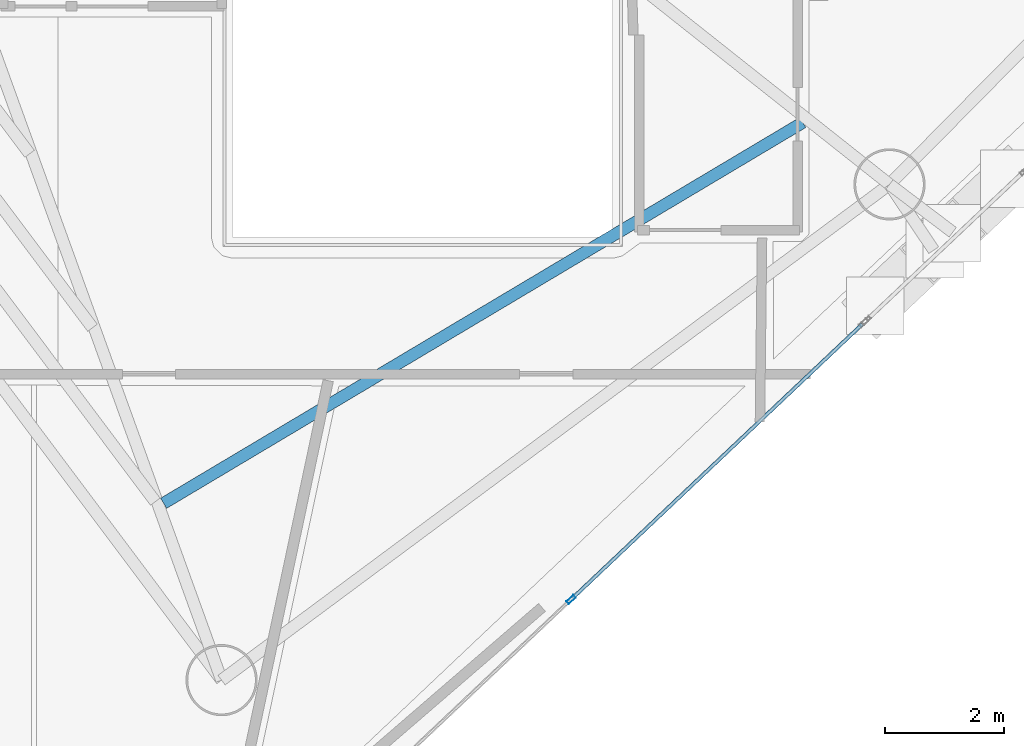
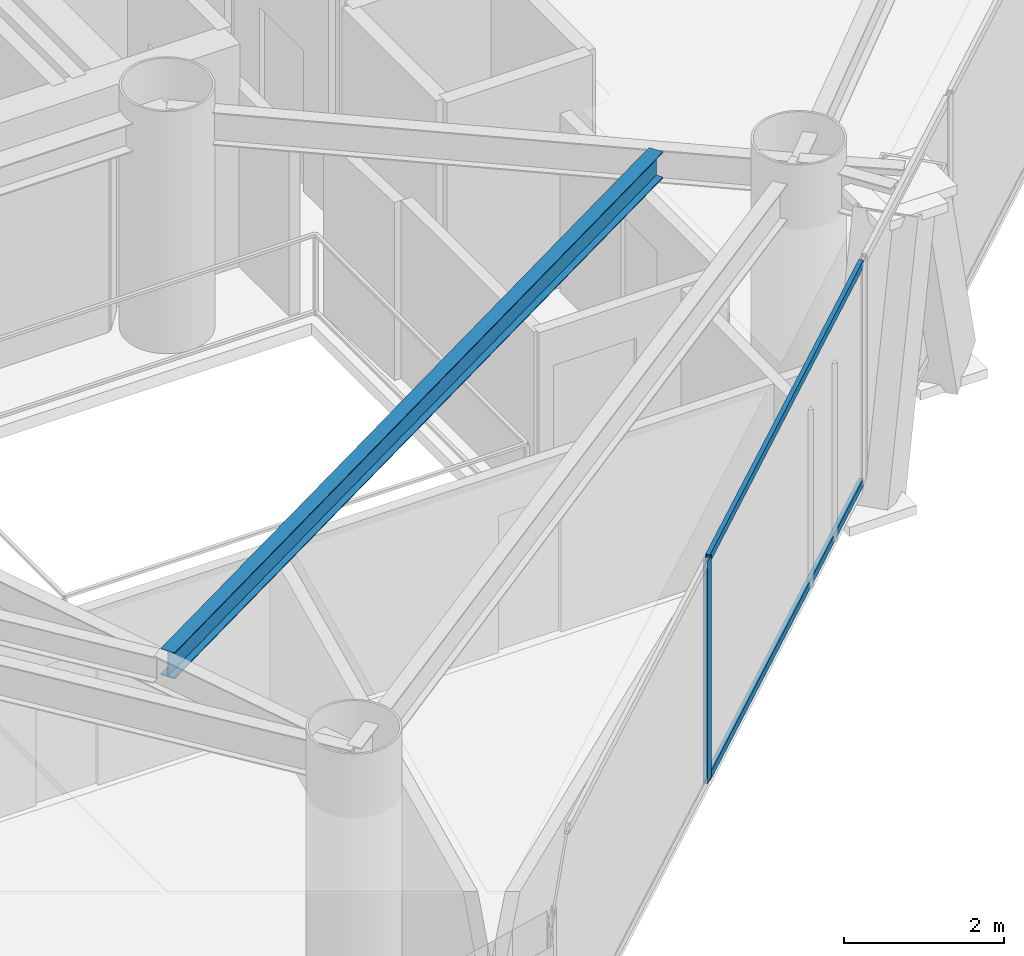
# One storey, part 4 of 20: 3 members, 1 beam, 1 element without a shape of its own.
"""IFC4 building model written with IfcOpenShell, lengths in metres."""

from ifc_helpers import new_model, si_unit, direction, frame, origin, origin_2d, place, context, subcontext, project, spatial, hollow_rectangle, i_section, extrude, material, layer, layer_set, material_profile, profile_set, type_object, element, aggregate, save


model = new_model("IFC4")

# Units and contexts
model_context = context("Model", 3, precision=1e-05, world=origin(), true_north=direction((0.0, 1.0)))
body_context = subcontext(model_context, "Body", "Model", "MODEL_VIEW")
ifc_project = project(units=[si_unit("LENGTHUNIT", "METRE"), si_unit("AREAUNIT", "SQUARE_METRE"), si_unit("VOLUMEUNIT", "CUBIC_METRE"), si_unit("PLANEANGLEUNIT", "RADIAN"), si_unit("MASSUNIT", "GRAM", prefix="KILO")], contexts=[model_context])

# Site, building, storey
site_placement = place(None, origin())
site = spatial("IfcSite", under=ifc_project, at=site_placement, CompositionType="ELEMENT")
building_placement = place(site_placement, origin())
building = spatial("IfcBuilding", under=site, at=building_placement, Name="Qianvela Tower", CompositionType="ELEMENT")
storey_placement = place(building_placement, frame((0.0, 0.0, 226.199951171875)))
storey = spatial("IfcBuildingStorey", under=building, at=storey_placement, Name="L58", CompositionType="ELEMENT", Elevation=226.199951171875)

# Beam
ifc_material_1 = material(Name="Steel Q355B", Category="steel")
ifc_material_profile_1 = material_profile(ifc_material_1, i_section(OverallWidth=0.199951171875, OverallDepth=0.39990234375, WebThickness=0.008056640625, FlangeThickness=0.012939453125, at=origin_2d()), Name="HN400x200x8x13")
ifc_profile_set_1 = profile_set([ifc_material_profile_1], Name="Steel Q355B")
beam_type = type_object("IfcBeamType", Name="BM-HN400-JOIST", PredefinedType="JOIST", material=ifc_profile_set_1)
beam_placement = place(storey_placement, frame((32.4365234375, 13.51025390625, 3.197998046875), z_axis=(0.859083505932, 0.511835451914, 0.0), x_axis=(-0.511835451914, 0.859083505932, 0.0)))
element("IfcBeam", 1, at=beam_placement, inside=storey, type_object=beam_type, Name="L58 Secondary Composite Floor Joist 5.3", PredefinedType="JOIST", context=body_context, shape_type="SweptSolid", body=[
    extrude(i_section(OverallWidth=0.199951171875, OverallDepth=0.39990234375, WebThickness=0.008056640625, FlangeThickness=0.012939453125, at=origin_2d()), origin(), (0.0, 0.0, 1.0), 12.535888671875),
])

# Curtain wall, members
ifc_material_2 = material(Name="Anodised Architectural Aluminium and Low-E Glass", Category="aluminium")
ifc_layer = layer(ifc_material_2, 0.159912109375)
ifc_layer_set = layer_set([ifc_layer], Name="Anodised Architectural Aluminium and Low-E Glass")
curtain_wall_type = type_object("IfcCurtainWallType", Name="CW-COLIV-Z56", PredefinedType="USERDEFINED", material=ifc_layer_set)
curtain_wall_placement = place(storey_placement, origin())
curtain_wall = element("IfcCurtainWall", 2, at=curtain_wall_placement, inside=storey, type_object=curtain_wall_type, Name="L58 CW-COLIV-Z56 Curtain Wall 06A", ObjectType="CURTAIN_WALL_SYSTEM", PredefinedType="USERDEFINED")
ifc_material_3 = material(Name="Anodised Architectural Aluminium 6063-T6", Category="aluminium")
ifc_material_profile_2 = material_profile(ifc_material_3, hollow_rectangle(XDim=0.06494140625, YDim=0.159912109375, WallThickness=0.0048828125, at=origin_2d()), Name="ALU-MULL-65x160")
ifc_profile_set_2 = profile_set([ifc_material_profile_2], Name="Anodised Architectural Aluminium 6063-T6")
member_type_1 = type_object("IfcMemberType", Name="CW-COLIV-Z56-MULL", PredefinedType="MULLION", material=ifc_profile_set_2)
member_1_placement = place(storey_placement, frame((39.3017578125, 11.888427734375, 0.0), z_axis=(0.0, 0.0, 1.0), x_axis=(-0.686997436207, 0.726659839708, 0.0)))
member_1 = element("IfcMember", 3, at=member_1_placement, type_object=member_type_1, Name="CW-5 mullion 2", PredefinedType="MULLION", context=body_context, shape_type="SweptSolid", body=[
    extrude(hollow_rectangle(XDim=0.06494140625, YDim=0.159912109375, WallThickness=0.0048828125, at=origin_2d()), origin(), (0.0, 0.0, 1.0), 3.400146484375),
])
ifc_material_4 = material(Name="Anodised Architectural Aluminium 6063-T6", Category="aluminium")
ifc_material_profile_3 = material_profile(ifc_material_4, hollow_rectangle(XDim=0.06005859375, YDim=0.114990234375, WallThickness=0.00390625, at=origin_2d()), Name="ALU-TRAN-60x115")
ifc_profile_set_3 = profile_set([ifc_material_profile_3], Name="Anodised Architectural Aluminium 6063-T6")
member_type_2 = type_object("IfcMemberType", Name="CW-COLIV-Z56-TRAN", PredefinedType="USERDEFINED", material=ifc_profile_set_3)
member_2_placement = place(storey_placement, frame((39.325439453125, 11.91064453125, 0.030029296875), z_axis=(0.726654241603, 0.687003357459, 0.0), x_axis=(-0.687003357459, 0.726654241603, 0.0)))
member_2 = element("IfcMember", 4, at=member_2_placement, type_object=member_type_2, Name="CW-5 transom 2.1", ObjectType="TRANSOM", PredefinedType="USERDEFINED", context=body_context, shape_type="SweptSolid", body=[
    extrude(hollow_rectangle(XDim=0.06005859375, YDim=0.114990234375, WallThickness=0.00390625, at=origin_2d()), origin(), (0.0, 0.0, 1.0), 6.717529296875),
])
member_3_placement = place(storey_placement, frame((39.325439453125, 11.91064453125, 3.3701171875), z_axis=(0.726654241603, 0.687003357459, 0.0), x_axis=(-0.687003357459, 0.726654241603, 0.0)))
member_3 = element("IfcMember", 5, at=member_3_placement, type_object=member_type_2, Name="CW-5 transom 2.2", ObjectType="TRANSOM", PredefinedType="USERDEFINED", context=body_context, shape_type="SweptSolid", body=[
    extrude(hollow_rectangle(XDim=0.06005859375, YDim=0.114990234375, WallThickness=0.00390625, at=origin_2d()), origin(), (0.0, 0.0, 1.0), 6.717529296875),
])
aggregate(curtain_wall, [member_1, member_2, member_3])

save(model, "model.ifc")
